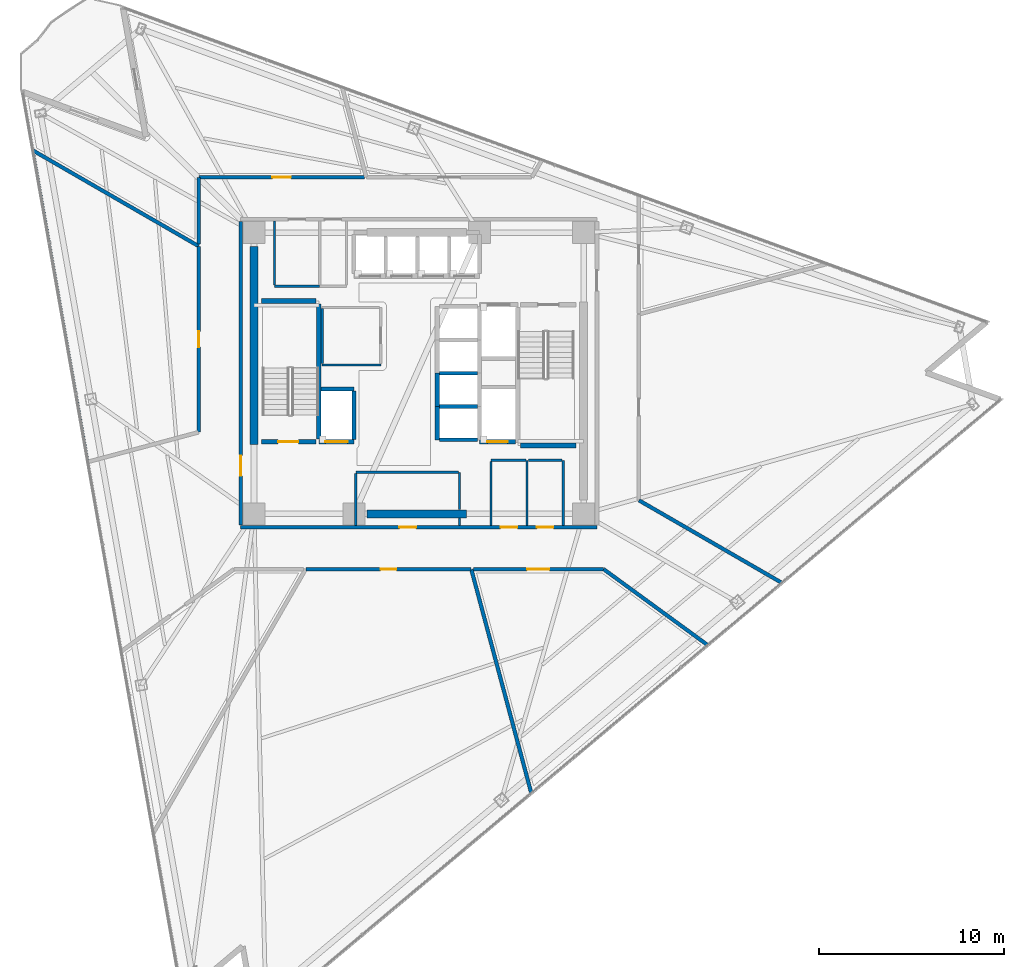
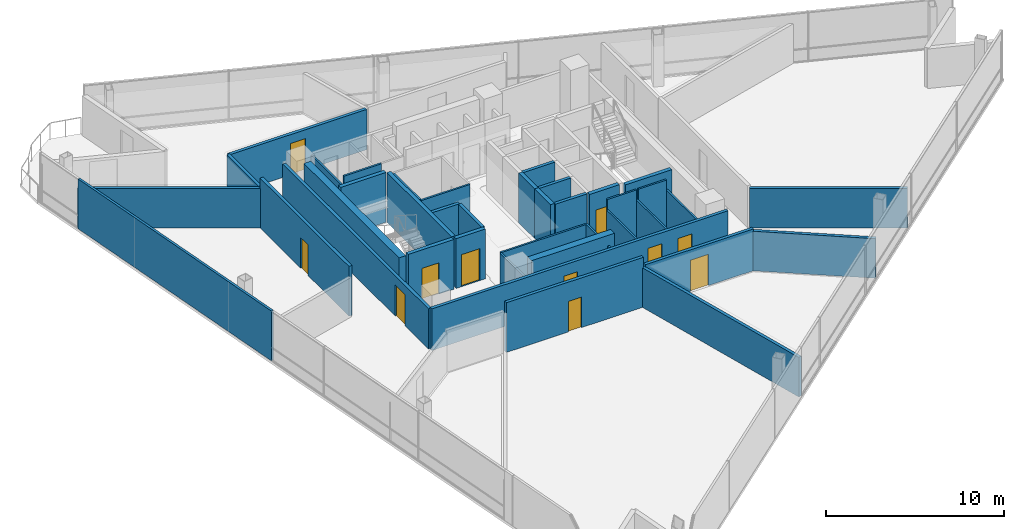
# One storey, part 10 of 15: 40 walls, 11 doors, 11 openings.
"""IFC4 building model written with IfcOpenShell, lengths in metres."""

from ifc_helpers import new_model, si_unit, direction, frame, frame_2d, origin, place, context, subcontext, project, spatial, rectangle, extrude, material, layer, layer_set, type_object, element, fill, save


model = new_model("IFC4")

# Units and contexts
model_context = context("Model", 3, precision=1e-05, world=origin(), true_north=direction((0.0, 1.0)))
body_context = subcontext(model_context, "Body", "Model", "MODEL_VIEW")
ifc_project = project(units=[si_unit("LENGTHUNIT", "METRE"), si_unit("AREAUNIT", "SQUARE_METRE"), si_unit("VOLUMEUNIT", "CUBIC_METRE"), si_unit("PLANEANGLEUNIT", "RADIAN"), si_unit("MASSUNIT", "GRAM", prefix="KILO")], contexts=[model_context])

# Site, building, storey
site_placement = place(None, origin())
site = spatial("IfcSite", under=ifc_project, at=site_placement, CompositionType="ELEMENT")
building_placement = place(site_placement, origin())
building = spatial("IfcBuilding", under=site, at=building_placement, Name="Tharavind Bronze Gate", CompositionType="ELEMENT")
storey_placement = place(building_placement, frame((0.0, 0.0, 177.699951171875)))
storey = spatial("IfcBuildingStorey", under=building, at=storey_placement, Name="L45", CompositionType="ELEMENT", Elevation=177.699951171875)

# Wall, openings, doors
ifc_material_1 = material(Name="Aerated Concrete Block", Category="concrete")
ifc_layer_1 = layer(ifc_material_1, 0.199951171875)
ifc_layer_set_1 = layer_set([ifc_layer_1], Name="Aerated Concrete Block")
wall_type_1 = type_object("IfcWallType", Name="FIRE RATED PARTITION 200", PredefinedType="PARTITIONING", material=ifc_layer_set_1)
wall_1_placement = place(storey_placement, frame((-9.6201171875, -8.320068359375, 0.0), z_axis=(0.0, 0.0, 1.0), x_axis=(1.0, 0.0, 0.0)))
wall_1 = element("IfcWall", 1, at=wall_1_placement, inside=storey, type_object=wall_type_1, Name="L45 south core corridor wall", PredefinedType="PARTITIONING", context=body_context, shape_type="SweptSolid", body=[
    extrude(rectangle(XDim=19.240234375, YDim=0.199951171875, at=frame_2d((9.6201171875, 0.0))), origin(), (0.0, 0.0, 1.0), 2.864990234375),
])
opening_1_placement = place(wall_1_placement, frame((8.570068359375, 0.0, 0.0)))
opening_1 = element("IfcOpeningElement", 2, at=opening_1_placement, cuts=wall_1, Name="Opening ID07", PredefinedType="OPENING", context=body_context, shape_type="SweptSolid", body=[
    extrude(rectangle(XDim=0.89990234375, YDim=2.10009765625, at=frame_2d((0.449951171875, 1.050048828125))), frame((0.0, 0.11009765625, 0.0), z_axis=(0.0, -1.0, 0.0), x_axis=(1.0, 0.0, 0.0)), (0.0, 0.0, 1.0), 0.219951171875),
])
opening_2_placement = place(wall_1_placement, frame((14.044921875, 0.0, 0.0)))
opening_2 = element("IfcOpeningElement", 3, at=opening_2_placement, cuts=wall_1, Name="Opening ID07", PredefinedType="OPENING", context=body_context, shape_type="SweptSolid", body=[
    extrude(rectangle(XDim=0.89990234375, YDim=2.10009765625, at=frame_2d((0.449951171875, 1.050048828125))), frame((0.0, 0.11009765625, 0.0), z_axis=(0.0, -1.0, 0.0), x_axis=(1.0, 0.0, 0.0)), (0.0, 0.0, 1.0), 0.219951171875),
])
opening_3_placement = place(wall_1_placement, frame((15.9951171875, 0.0, 0.0)))
opening_3 = element("IfcOpeningElement", 4, at=opening_3_placement, cuts=wall_1, Name="Opening ID07", PredefinedType="OPENING", context=body_context, shape_type="SweptSolid", body=[
    extrude(rectangle(XDim=0.89990234375, YDim=2.10009765625, at=frame_2d((0.449951171875, 1.050048828125))), frame((0.0, 0.11009765625, 0.0), z_axis=(0.0, -1.0, 0.0), x_axis=(1.0, 0.0, 0.0)), (0.0, 0.0, 1.0), 0.219951171875),
])
ifc_material_2 = material(Name="Galvanised Fire Steel", Category="steel")
door_type_1 = type_object("IfcDoorType", Name="PLANT AND RISER FIRE DOOR 900X2100", OperationType="SINGLE_SWING_LEFT", PredefinedType="DOOR", material=ifc_material_2)
door_1_placement = place(opening_1_placement, origin())
door_1 = element("IfcDoor", 5, at=door_1_placement, inside=storey, type_object=door_type_1, Name="L45 Core BMS Control Room fire door", OperationType="SINGLE_SWING_LEFT", OverallHeight=2.10009765625, OverallWidth=0.89990234375, PredefinedType="DOOR", context=body_context, shape_type="SweptSolid", body=[
    extrude(rectangle(XDim=0.89990234375, YDim=2.10009765625, at=frame_2d((0.449951171875, 1.050048828125))), frame((0.0, 0.02490234375, 0.0), z_axis=(0.0, -1.0, 0.0), x_axis=(1.0, 0.0, 0.0)), (0.0, 0.0, 1.0), 0.050048828125),
])
fill(opening_1, door_1)
door_2_placement = place(opening_2_placement, origin())
door_2 = element("IfcDoor", 6, at=door_2_placement, inside=storey, type_object=door_type_1, Name="L45 Comms Patch Room fire door", OperationType="SINGLE_SWING_LEFT", OverallHeight=2.10009765625, OverallWidth=0.89990234375, PredefinedType="DOOR", context=body_context, shape_type="SweptSolid", body=[
    extrude(rectangle(XDim=0.89990234375, YDim=2.10009765625, at=frame_2d((0.449951171875, 1.050048828125))), frame((0.0, 0.02490234375, 0.0), z_axis=(0.0, -1.0, 0.0), x_axis=(1.0, 0.0, 0.0)), (0.0, 0.0, 1.0), 0.050048828125),
])
fill(opening_2, door_2)
door_3_placement = place(opening_3_placement, origin())
door_3 = element("IfcDoor", 7, at=door_3_placement, inside=storey, type_object=door_type_1, Name="L45 Housekeeping Store fire door", OperationType="SINGLE_SWING_LEFT", OverallHeight=2.10009765625, OverallWidth=0.89990234375, PredefinedType="DOOR", context=body_context, shape_type="SweptSolid", body=[
    extrude(rectangle(XDim=0.89990234375, YDim=2.10009765625, at=frame_2d((0.449951171875, 1.050048828125))), frame((0.0, 0.02490234375, 0.0), z_axis=(0.0, -1.0, 0.0), x_axis=(1.0, 0.0, 0.0)), (0.0, 0.0, 1.0), 0.050048828125),
])
fill(opening_3, door_3)

# Wall, opening, door
wall_2_placement = place(storey_placement, frame((-9.6201171875, 8.199951171875, 0.0), z_axis=(0.0, 0.0, 1.0), x_axis=(0.0, -1.0, 0.0)))
wall_2 = element("IfcWall", 8, at=wall_2_placement, inside=storey, type_object=wall_type_1, Name="L45 west core corridor wall", PredefinedType="PARTITIONING", context=body_context, shape_type="SweptSolid", body=[
    extrude(rectangle(XDim=16.39990234375, YDim=0.199951171875, at=frame_2d((8.199951171875, 0.0))), origin(), (0.0, 0.0, 1.0), 2.76513671875),
])
opening_4_placement = place(wall_2_placement, frame((12.64990234375, 0.0, 0.0)))
opening_4 = element("IfcOpeningElement", 9, at=opening_4_placement, cuts=wall_2, Name="Opening ID01", PredefinedType="OPENING", context=body_context, shape_type="SweptSolid", body=[
    extrude(rectangle(XDim=1.10009765625, YDim=2.14990234375, at=frame_2d((0.550048828125, 1.074951171875))), frame((0.0, 0.11009765625, 0.0), z_axis=(0.0, -1.0, 0.0), x_axis=(1.0, 0.0, 0.0)), (0.0, 0.0, 1.0), 0.219951171875),
])
ifc_material_3 = material(Name="Fire-Rated Steel", Category="steel")
door_type_2 = type_object("IfcDoorType", Name="STAIR CORE FIRE DOOR 1100X2150", OperationType="SINGLE_SWING_LEFT", PredefinedType="DOOR", material=ifc_material_3)
door_4_placement = place(opening_4_placement, frame((1.10009765625, 0.0, 0.0), z_axis=(0.0, 0.0, 1.0), x_axis=(-1.0, 0.0, 0.0)))
door_4 = element("IfcDoor", 10, at=door_4_placement, inside=storey, type_object=door_type_2, Name="L45 south west stair lobby fire door", OperationType="SINGLE_SWING_LEFT", OverallHeight=2.14990234375, OverallWidth=1.10009765625, PredefinedType="DOOR", context=body_context, shape_type="SweptSolid", body=[
    extrude(rectangle(XDim=1.10009765625, YDim=2.14990234375, at=frame_2d((0.550048828125, 1.074951171875))), frame((0.0, 0.02490234375, 0.0), z_axis=(0.0, -1.0, 0.0), x_axis=(1.0, 0.0, 0.0)), (0.0, 0.0, 1.0), 0.050048828125),
])
fill(opening_4, door_4)

# Wall
wall_3_placement = place(storey_placement, frame((-20.83935546875, 12.031494140625, 0.0), z_axis=(0.0, 0.0, 1.0), x_axis=(0.866031318101, -0.499989755964, 0.0)))
element("IfcWall", 11, at=wall_3_placement, inside=storey, type_object=wall_type_1, Name="L45 Public Restrooms Block partition", PredefinedType="PARTITIONING", context=body_context, shape_type="SweptSolid", body=[
    extrude(rectangle(XDim=10.330810546875, YDim=0.199951171875, at=frame_2d((5.16552734375, 0.0))), origin(), (0.0, 0.0, 1.0), 2.715087890625),
])

# Wall, opening, door
wall_4_placement = place(storey_placement, frame((-11.8798828125, 6.844482421875, 0.0), z_axis=(0.0, 0.0, 1.0), x_axis=(0.0, -1.0, 0.0)))
wall_4 = element("IfcWall", 12, at=wall_4_placement, inside=storey, type_object=wall_type_1, Name="L45 Public Restrooms Block partition", PredefinedType="PARTITIONING", context=body_context, shape_type="SweptSolid", body=[
    extrude(rectangle(XDim=10.008544921875, YDim=0.199951171875, at=frame_2d((5.00439453125, 0.0))), origin(), (0.0, 0.0, 1.0), 3.420166015625),
])
opening_5_placement = place(wall_4_placement, frame((4.5791015625, 0.0, 0.0)))
opening_5 = element("IfcOpeningElement", 13, at=opening_5_placement, cuts=wall_4, Name="Opening ID06", PredefinedType="OPENING", context=body_context, shape_type="SweptSolid", body=[
    extrude(rectangle(XDim=0.85009765625, YDim=2.10009765625, at=frame_2d((0.425048828125, 1.050048828125))), frame((0.0, 0.11009765625, 0.0), z_axis=(0.0, -1.0, 0.0), x_axis=(1.0, 0.0, 0.0)), (0.0, 0.0, 1.0), 0.219951171875),
])
ifc_material_4 = material(Name="Moisture-Resistant Timber", Category="wood")
door_type_3 = type_object("IfcDoorType", Name="BATHROOM PRIVACY DOOR 850X2100", OperationType="SINGLE_SWING_RIGHT", PredefinedType="DOOR", material=ifc_material_4)
door_5_placement = place(opening_5_placement, origin())
door_5 = element("IfcDoor", 14, at=door_5_placement, inside=storey, type_object=door_type_3, Name="L45 Public Restrooms Block door", OperationType="SINGLE_SWING_RIGHT", OverallHeight=2.10009765625, OverallWidth=0.85009765625, PredefinedType="DOOR", context=body_context, shape_type="SweptSolid", body=[
    extrude(rectangle(XDim=0.85009765625, YDim=2.10009765625, at=frame_2d((0.425048828125, 1.050048828125))), frame((0.0, 0.02490234375, 0.0), z_axis=(0.0, -1.0, 0.0), x_axis=(1.0, 0.0, 0.0)), (0.0, 0.0, 1.0), 0.050048828125),
])
fill(opening_5, door_5)

wall_5_placement = place(storey_placement, frame((-6.093994140625, -10.580078125, 0.0), z_axis=(0.0, 0.0, 1.0), x_axis=(1.0, 0.0, 0.0)))
wall_5 = element("IfcWall", 15, at=wall_5_placement, inside=storey, type_object=wall_type_1, Name="L45 Public Restrooms Block partition", PredefinedType="PARTITIONING", context=body_context, shape_type="SweptSolid", body=[
    extrude(rectangle(XDim=8.90966796875, YDim=0.199951171875, at=frame_2d((4.454833984375, 0.0))), origin(), (0.0, 0.0, 1.0), 3.420166015625),
])
opening_6_placement = place(wall_5_placement, frame((4.030029296875, 0.0, 0.0)))
opening_6 = element("IfcOpeningElement", 16, at=opening_6_placement, cuts=wall_5, Name="Opening ID06", PredefinedType="OPENING", context=body_context, shape_type="SweptSolid", body=[
    extrude(rectangle(XDim=0.85009765625, YDim=2.10009765625, at=frame_2d((0.425048828125, 1.050048828125))), frame((0.0, 0.11009765625, 0.0), z_axis=(0.0, -1.0, 0.0), x_axis=(1.0, 0.0, 0.0)), (0.0, 0.0, 1.0), 0.219951171875),
])
door_6_placement = place(opening_6_placement, origin())
door_6 = element("IfcDoor", 17, at=door_6_placement, inside=storey, type_object=door_type_3, Name="L45 Public Restrooms Block door", OperationType="SINGLE_SWING_RIGHT", OverallHeight=2.10009765625, OverallWidth=0.85009765625, PredefinedType="DOOR", context=body_context, shape_type="SweptSolid", body=[
    extrude(rectangle(XDim=0.85009765625, YDim=2.10009765625, at=frame_2d((0.425048828125, 1.050048828125))), frame((0.0, 0.02490234375, 0.0), z_axis=(0.0, -1.0, 0.0), x_axis=(1.0, 0.0, 0.0)), (0.0, 0.0, 1.0), 0.050048828125),
])
fill(opening_6, door_6)

# Wall
wall_6_placement = place(storey_placement, frame((2.83984375, -10.598388671875, 0.0), z_axis=(0.0, 0.0, 1.0), x_axis=(0.258817191025, -0.965926323086, 0.0)))
element("IfcWall", 18, at=wall_6_placement, inside=storey, type_object=wall_type_1, Name="L45 Public Restrooms Block partition", PredefinedType="PARTITIONING", context=body_context, shape_type="SweptSolid", body=[
    extrude(rectangle(XDim=12.48828125, YDim=0.199951171875, at=frame_2d((6.244140625, 0.0))), origin(), (0.0, 0.0, 1.0), 2.715087890625),
])

# Wall, opening, door
wall_7_placement = place(storey_placement, frame((-2.943603515625, 10.580078125, 0.0), z_axis=(0.0, 0.0, 1.0), x_axis=(-1.0, 0.0, 0.0)))
wall_7 = element("IfcWall", 19, at=wall_7_placement, inside=storey, type_object=wall_type_1, Name="L45 Reinsurance Office partition", PredefinedType="PARTITIONING", context=body_context, shape_type="SweptSolid", body=[
    extrude(rectangle(XDim=8.935791015625, YDim=0.199951171875, at=frame_2d((4.4677734375, 0.0))), origin(), (0.0, 0.0, 1.0), 2.76513671875),
])
opening_7_placement = place(wall_7_placement, frame((3.968017578125, 0.0, 0.0)))
opening_7 = element("IfcOpeningElement", 20, at=opening_7_placement, cuts=wall_7, Name="Opening ID04", PredefinedType="OPENING", context=body_context, shape_type="SweptSolid", body=[
    extrude(rectangle(XDim=1.0, YDim=2.14990234375, at=frame_2d((0.5, 1.074951171875))), frame((0.0, 0.11009765625, 0.0), z_axis=(0.0, -1.0, 0.0), x_axis=(1.0, 0.0, 0.0)), (0.0, 0.0, 1.0), 0.219951171875),
])
ifc_material_5 = material(Name="Bronze Framed Acoustic Timber", Category="wood")
door_type_4 = type_object("IfcDoorType", Name="OFFICE TENANCY DOOR 1000X2150", OperationType="SINGLE_SWING_RIGHT", PredefinedType="DOOR", material=ifc_material_5)
door_7_placement = place(opening_7_placement, origin())
door_7 = element("IfcDoor", 21, at=door_7_placement, inside=storey, type_object=door_type_4, Name="L45 Reinsurance Office door", OperationType="SINGLE_SWING_RIGHT", OverallHeight=2.14990234375, OverallWidth=1.0, PredefinedType="DOOR", context=body_context, shape_type="SweptSolid", body=[
    extrude(rectangle(XDim=1.0, YDim=2.14990234375, at=frame_2d((0.5, 1.074951171875))), frame((0.0, 0.02490234375, 0.0), z_axis=(0.0, -1.0, 0.0), x_axis=(1.0, 0.0, 0.0)), (0.0, 0.0, 1.0), 0.050048828125),
])
fill(opening_7, door_7)

# Wall
wall_8_placement = place(storey_placement, frame((-11.8798828125, 10.579345703125, 0.0), z_axis=(0.0, 0.0, 1.0), x_axis=(0.0, -1.0, 0.0)))
element("IfcWall", 22, at=wall_8_placement, inside=storey, type_object=wall_type_1, Name="L45 Reinsurance Office partition", PredefinedType="PARTITIONING", context=body_context, shape_type="SweptSolid", body=[
    extrude(rectangle(XDim=3.599365234375, YDim=0.199951171875, at=frame_2d((1.7998046875, 0.0))), origin(), (0.0, 0.0, 1.0), 2.76513671875),
])

# Wall, opening, door
wall_9_placement = place(storey_placement, frame((2.943603515625, -10.580078125, 0.0), z_axis=(0.0, 0.0, 1.0), x_axis=(1.0, 0.0, 0.0)))
wall_9 = element("IfcWall", 23, at=wall_9_placement, inside=storey, type_object=wall_type_1, Name="L45 Training Seminar Room partition", PredefinedType="PARTITIONING", context=body_context, shape_type="SweptSolid", body=[
    extrude(rectangle(XDim=7.0263671875, YDim=0.199951171875, at=frame_2d((3.51318359375, 0.0))), origin(), (0.0, 0.0, 1.0), 2.864990234375),
])
opening_8_placement = place(wall_9_placement, frame((2.9130859375, 0.0, 0.0)))
opening_8 = element("IfcOpeningElement", 24, at=opening_8_placement, cuts=wall_9, Name="Opening ID05", PredefinedType="OPENING", context=body_context, shape_type="SweptSolid", body=[
    extrude(rectangle(XDim=1.199951171875, YDim=2.14990234375, at=frame_2d((0.60009765625, 1.074951171875))), frame((0.0, 0.11009765625, 0.0), z_axis=(0.0, -1.0, 0.0), x_axis=(1.0, 0.0, 0.0)), (0.0, 0.0, 1.0), 0.219951171875),
])
ifc_material_6 = material(Name="Acoustic Laminated Glass", Category="glass")
door_type_5 = type_object("IfcDoorType", Name="MEETING ROOM GLAZED DOOR 1200X2150", OperationType="SINGLE_SWING_LEFT", PredefinedType="DOOR", material=ifc_material_6)
door_8_placement = place(opening_8_placement, origin())
door_8 = element("IfcDoor", 25, at=door_8_placement, inside=storey, type_object=door_type_5, Name="L45 Training Seminar Room door", OperationType="SINGLE_SWING_LEFT", OverallHeight=2.14990234375, OverallWidth=1.199951171875, PredefinedType="DOOR", context=body_context, shape_type="SweptSolid", body=[
    extrude(rectangle(XDim=1.199951171875, YDim=2.14990234375, at=frame_2d((0.60009765625, 1.074951171875))), frame((0.0, 0.02490234375, 0.0), z_axis=(0.0, -1.0, 0.0), x_axis=(1.0, 0.0, 0.0)), (0.0, 0.0, 1.0), 0.050048828125),
])
fill(opening_8, door_8)

# Walls
wall_10_placement = place(storey_placement, frame((9.98486328125, -10.584716796875, 0.0), z_axis=(0.0, 0.0, 1.0), x_axis=(0.807846973011, -0.589392287189, 0.0)))
element("IfcWall", 26, at=wall_10_placement, inside=storey, type_object=wall_type_1, Name="L45 Training Seminar Room partition", PredefinedType="PARTITIONING", context=body_context, shape_type="SweptSolid", body=[
    extrude(rectangle(XDim=6.95361328125, YDim=0.199951171875, at=frame_2d((3.476806640625, 0.0))), origin(), (0.0, 0.0, 1.0), 2.715087890625),
])
wall_11_placement = place(storey_placement, frame((19.59375, -11.3125, 0.0), z_axis=(0.0, 0.0, 1.0), x_axis=(-0.866024653538, 0.500001299462, 0.0)))
element("IfcWall", 27, at=wall_11_placement, inside=storey, type_object=wall_type_1, Name="L45 Tea Pantry partition", PredefinedType="PARTITIONING", context=body_context, shape_type="SweptSolid", body=[
    extrude(rectangle(XDim=8.892578125, YDim=0.199951171875, at=frame_2d((4.4462890625, 0.0))), origin(), (0.0, 0.0, 1.0), 2.715087890625),
])
ifc_material_7 = material(Name="Metal Stud Gypsum Partition", Category="gypsum")
ifc_layer_2 = layer(ifc_material_7, 0.1201171875)
ifc_layer_set_2 = layer_set([ifc_layer_2], Name="Metal Stud Gypsum Partition")
wall_type_2 = type_object("IfcWallType", Name="INTERIOR PARTITION WALL 120", PredefinedType="PARTITIONING", material=ifc_layer_set_2)
wall_12_placement = place(storey_placement, frame((-5.219970703125, 0.449951171875, 0.0), z_axis=(0.0, 0.0, 1.0), x_axis=(1.0, 0.0, 0.0)))
element("IfcWall", 28, at=wall_12_placement, inside=storey, type_object=wall_type_2, Name="L45 Electrical & Telecom Store partition 1", PredefinedType="PARTITIONING", context=body_context, shape_type="SweptSolid", body=[
    extrude(rectangle(XDim=3.169921875, YDim=0.1201171875, at=frame_2d((1.5849609375, 0.0))), origin(), (0.0, 0.0, 1.0), 3.420166015625),
])
wall_13_placement = place(storey_placement, frame((-5.219970703125, 3.485107421875, 0.0), z_axis=(0.0, 0.0, 1.0), x_axis=(0.0, -1.0, 0.0)))
element("IfcWall", 29, at=wall_13_placement, inside=storey, type_object=wall_type_2, Name="L45 Electrical & Telecom Store partition 4", PredefinedType="PARTITIONING", context=body_context, shape_type="SweptSolid", body=[
    extrude(rectangle(XDim=2.97021484375, YDim=0.1201171875, at=frame_2d((1.485107421875, 0.0))), origin(), (0.0, 0.0, 1.0), 3.420166015625),
])
wall_14_placement = place(storey_placement, frame((2.199951171875, -8.215087890625, 0.0), z_axis=(0.0, 0.0, 1.0), x_axis=(0.0, 1.0, 0.0)))
element("IfcWall", 30, at=wall_14_placement, inside=storey, type_object=wall_type_2, Name="L45 Core BMS Control Room partition 2", PredefinedType="PARTITIONING", context=body_context, shape_type="SweptSolid", body=[
    extrude(rectangle(XDim=0.385009765625, YDim=0.1201171875, at=frame_2d((0.1923828125, 0.0))), origin(), (0.0, 0.0, 1.0), 2.715087890625),
])
wall_15_placement = place(storey_placement, frame((2.199951171875, -7.3701171875, 0.0), z_axis=(0.0, 0.0, 1.0), x_axis=(0.0, 1.0, 0.0)))
element("IfcWall", 31, at=wall_15_placement, inside=storey, type_object=wall_type_2, Name="L45 Core BMS Control Room partition 2", PredefinedType="PARTITIONING", context=body_context, shape_type="SweptSolid", body=[
    extrude(rectangle(XDim=2.02001953125, YDim=0.1201171875, at=frame_2d((1.010009765625, 0.0))), origin(), (0.0, 0.0, 1.0), 2.715087890625),
])
wall_16_placement = place(storey_placement, frame((2.135009765625, -5.35009765625, 0.0), z_axis=(0.0, 0.0, 1.0), x_axis=(-1.0, 0.0, 0.0)))
element("IfcWall", 32, at=wall_16_placement, inside=storey, type_object=wall_type_2, Name="L45 Core BMS Control Room partition 3", PredefinedType="PARTITIONING", context=body_context, shape_type="SweptSolid", body=[
    extrude(rectangle(XDim=5.534912109375, YDim=0.1201171875, at=frame_2d((2.767578125, 0.0))), origin(), (0.0, 0.0, 1.0), 2.715087890625),
])
wall_17_placement = place(storey_placement, frame((-3.39990234375, -5.4150390625, 0.0), z_axis=(0.0, 0.0, 1.0), x_axis=(0.0, -1.0, 0.0)))
element("IfcWall", 33, at=wall_17_placement, inside=storey, type_object=wall_type_2, Name="L45 Core BMS Control Room partition 4", PredefinedType="PARTITIONING", context=body_context, shape_type="SweptSolid", body=[
    extrude(rectangle(XDim=2.800048828125, YDim=0.1201171875, at=frame_2d((1.39990234375, 0.0))), origin(), (0.0, 0.0, 1.0), 2.715087890625),
])
wall_18_placement = place(storey_placement, frame((-7.800048828125, 4.699951171875, 0.0), z_axis=(0.0, 0.0, 1.0), x_axis=(1.0, 0.0, 0.0)))
element("IfcWall", 34, at=wall_18_placement, inside=storey, type_object=wall_type_2, Name="L45 Electrical Metering Room partition 1", PredefinedType="PARTITIONING", context=body_context, shape_type="SweptSolid", body=[
    extrude(rectangle(XDim=2.449951171875, YDim=0.1201171875, at=frame_2d((1.22509765625, 0.0))), origin(), (0.0, 0.0, 1.0), 3.420166015625),
])
wall_19_placement = place(storey_placement, frame((-7.800048828125, 8.215087890625, 0.0), z_axis=(0.0, 0.0, 1.0), x_axis=(0.0, -1.0, 0.0)))
element("IfcWall", 35, at=wall_19_placement, inside=storey, type_object=wall_type_2, Name="L45 Electrical Metering Room partition 4", PredefinedType="PARTITIONING", context=body_context, shape_type="SweptSolid", body=[
    extrude(rectangle(XDim=3.4501953125, YDim=0.1201171875, at=frame_2d((1.72509765625, 0.0))), origin(), (0.0, 0.0, 1.0), 2.715087890625),
])
wall_20_placement = place(storey_placement, frame((5.85009765625, -8.215087890625, 0.0), z_axis=(0.0, 0.0, 1.0), x_axis=(0.0, 1.0, 0.0)))
element("IfcWall", 36, at=wall_20_placement, inside=storey, type_object=wall_type_2, Name="L45 Comms Patch Room partition 2", PredefinedType="PARTITIONING", context=body_context, shape_type="SweptSolid", body=[
    extrude(rectangle(XDim=3.51513671875, YDim=0.1201171875, at=frame_2d((1.757568359375, 0.0))), origin(), (0.0, 0.0, 1.0), 2.715087890625),
])
wall_21_placement = place(storey_placement, frame((5.784912109375, -4.699951171875, 0.0), z_axis=(0.0, 0.0, 1.0), x_axis=(-1.0, 0.0, 0.0)))
element("IfcWall", 37, at=wall_21_placement, inside=storey, type_object=wall_type_2, Name="L45 Comms Patch Room partition 3", PredefinedType="PARTITIONING", context=body_context, shape_type="SweptSolid", body=[
    extrude(rectangle(XDim=1.885009765625, YDim=0.1201171875, at=frame_2d((0.9423828125, 0.0))), origin(), (0.0, 0.0, 1.0), 3.420166015625),
])
wall_22_placement = place(storey_placement, frame((3.89990234375, -4.764892578125, 0.0), z_axis=(0.0, 0.0, 1.0), x_axis=(0.0, -1.0, 0.0)))
element("IfcWall", 38, at=wall_22_placement, inside=storey, type_object=wall_type_2, Name="L45 Comms Patch Room partition 4", PredefinedType="PARTITIONING", context=body_context, shape_type="SweptSolid", body=[
    extrude(rectangle(XDim=3.4501953125, YDim=0.1201171875, at=frame_2d((1.72509765625, 0.0))), origin(), (0.0, 0.0, 1.0), 2.715087890625),
])
wall_23_placement = place(storey_placement, frame((7.800048828125, -8.215087890625, 0.0), z_axis=(0.0, 0.0, 1.0), x_axis=(0.0, 1.0, 0.0)))
element("IfcWall", 39, at=wall_23_placement, inside=storey, type_object=wall_type_2, Name="L45 Housekeeping Store partition 2", PredefinedType="PARTITIONING", context=body_context, shape_type="SweptSolid", body=[
    extrude(rectangle(XDim=3.51513671875, YDim=0.1201171875, at=frame_2d((1.757568359375, 0.0))), origin(), (0.0, 0.0, 1.0), 2.715087890625),
])
wall_24_placement = place(storey_placement, frame((7.735107421875, -4.699951171875, 0.0), z_axis=(0.0, 0.0, 1.0), x_axis=(-1.0, 0.0, 0.0)))
element("IfcWall", 40, at=wall_24_placement, inside=storey, type_object=wall_type_2, Name="L45 Housekeeping Store partition 3", PredefinedType="PARTITIONING", context=body_context, shape_type="SweptSolid", body=[
    extrude(rectangle(XDim=1.820068359375, YDim=0.1201171875, at=frame_2d((0.91015625, 0.0))), origin(), (0.0, 0.0, 1.0), 3.420166015625),
])
ifc_material_8 = material(Name="Twin Stud Acoustic Gypsum", Category="gypsum")
ifc_layer_3 = layer(ifc_material_8, 0.14990234375)
ifc_layer_set_3 = layer_set([ifc_layer_3], Name="Twin Stud Acoustic Gypsum")
wall_type_3 = type_object("IfcWallType", Name="INTERIOR PARTITION WALL 150", PredefinedType="PARTITIONING", material=ifc_layer_set_3)
wall_25_placement = place(storey_placement, frame((-17.878173828125, -4.76220703125, 0.0), z_axis=(0.0, 0.0, 1.0), x_axis=(-0.173655243618, 0.984806507068, 0.0)))
element("IfcWall", 41, at=wall_25_placement, inside=storey, type_object=wall_type_3, Name="L45 Public Restrooms Block partition", PredefinedType="PARTITIONING", context=body_context, shape_type="SweptSolid", body=[
    extrude(rectangle(XDim=16.915771484375, YDim=0.14990234375, at=frame_2d((8.4580078125, 0.0))), origin(), (0.0, 0.0, 1.0), 3.420166015625),
])
ifc_material_9 = material(Name="Concrete C50/60", Category="concrete")
ifc_layer_4 = layer(ifc_material_9, 0.25)
ifc_layer_set_4 = layer_set([ifc_layer_4], Name="Concrete C50/60")
wall_type_4 = type_object("IfcWallType", Name="RC CORE SHEAR WALL 250", PredefinedType="SHEAR", material=ifc_layer_set_4)
wall_26_placement = place(storey_placement, frame((-5.39990234375, -3.550048828125, 0.0), z_axis=(0.0, 0.0, 1.0), x_axis=(0.0, 1.0, 0.0)))
element("IfcWall", 42, at=wall_26_placement, inside=storey, type_object=wall_type_4, Name="L45 ST1 shaft east wall", PredefinedType="SHEAR", context=body_context, shape_type="SweptSolid", body=[
    extrude(rectangle(XDim=7.300048828125, YDim=0.25, at=frame_2d((3.64990234375, 0.0))), origin(), (0.0, 0.0, 1.0), 3.420166015625),
])

# Wall, opening, door
wall_27_placement = place(storey_placement, frame((-8.5, -3.699951171875, 0.0), z_axis=(0.0, 0.0, 1.0), x_axis=(1.0, 0.0, 0.0)))
wall_27 = element("IfcWall", 43, at=wall_27_placement, inside=storey, type_object=wall_type_4, Name="L45 ST1 shaft south wall", PredefinedType="SHEAR", context=body_context, shape_type="SweptSolid", body=[
    extrude(rectangle(XDim=2.949951171875, YDim=0.25, at=frame_2d((1.47509765625, 0.0))), origin(), (0.0, 0.0, 1.0), 3.420166015625),
])
opening_9_placement = place(wall_27_placement, frame((0.89990234375, 0.0, 0.0)))
opening_9 = element("IfcOpeningElement", 44, at=opening_9_placement, cuts=wall_27, Name="Opening ID01", PredefinedType="OPENING", context=body_context, shape_type="SweptSolid", body=[
    extrude(rectangle(XDim=1.10009765625, YDim=2.14990234375, at=frame_2d((0.550048828125, 1.074951171875))), frame((0.0, 0.135, 0.0), z_axis=(0.0, -1.0, 0.0), x_axis=(1.0, 0.0, 0.0)), (0.0, 0.0, 1.0), 0.27),
])
door_9_placement = place(opening_9_placement, origin())
door_9 = element("IfcDoor", 45, at=door_9_placement, inside=storey, type_object=door_type_2, Name="L45 exit stair ST1 fire door", OperationType="SINGLE_SWING_LEFT", OverallHeight=2.14990234375, OverallWidth=1.10009765625, PredefinedType="DOOR", context=body_context, shape_type="SweptSolid", body=[
    extrude(rectangle(XDim=1.10009765625, YDim=2.14990234375, at=frame_2d((0.550048828125, 1.074951171875))), frame((0.0, 0.02490234375, 0.0), z_axis=(0.0, -1.0, 0.0), x_axis=(1.0, 0.0, 0.0)), (0.0, 0.0, 1.0), 0.050048828125),
])
fill(opening_9, door_9)

# Walls
wall_28_placement = place(storey_placement, frame((-8.5, 3.89990234375, 0.0), z_axis=(0.0, 0.0, 1.0), x_axis=(1.0, 0.0, 0.0)))
element("IfcWall", 46, at=wall_28_placement, inside=storey, type_object=wall_type_4, Name="L45 ST1 shaft north wall", PredefinedType="SHEAR", context=body_context, shape_type="SweptSolid", body=[
    extrude(rectangle(XDim=2.949951171875, YDim=0.25, at=frame_2d((1.47509765625, 0.0))), origin(), (0.0, 0.0, 1.0), 3.420166015625),
])
wall_29_placement = place(storey_placement, frame((5.5, -3.89990234375, 0.0), z_axis=(0.0, 0.0, 1.0), x_axis=(1.0, 0.0, 0.0)))
element("IfcWall", 47, at=wall_29_placement, inside=storey, type_object=wall_type_4, Name="L45 ST2 shaft south wall", PredefinedType="SHEAR", context=body_context, shape_type="SweptSolid", body=[
    extrude(rectangle(XDim=3.0, YDim=0.25, at=frame_2d((1.5, 0.0))), origin(), (0.0, 0.0, 1.0), 3.420166015625),
])
for number, where, z_axis, x_axis, name in (
    (48, (1.0, -3.60009765625, 0.0), (0.0, 0.0, 1.0), (0.0, 1.0, 0.0), "L45 lift PL9 shaft front wall"),
    (49, (1.0, -1.800048828125, 0.0), (0.0, 0.0, 1.0), (0.0, 1.0, 0.0), "L45 lift PL10 shaft front wall"),
):
    element("IfcWall", number, at=place(storey_placement, frame(where, z_axis=z_axis, x_axis=x_axis)), inside=storey, type_object=wall_type_4, Name=name, PredefinedType="SHEAR", context=body_context, shape_type="SweptSolid", body=[
        extrude(rectangle(XDim=1.800048828125, YDim=0.25, at=frame_2d((0.89990234375, 0.0))), origin(), (0.0, 0.0, 1.0), 3.420166015625),
    ])

# Wall, opening, door
wall_30_placement = place(storey_placement, frame((-5.39990234375, -3.699951171875, 0.0), z_axis=(0.0, 0.0, 1.0), x_axis=(1.0, 0.0, 0.0)))
wall_30 = element("IfcWall", 50, at=wall_30_placement, inside=storey, type_object=wall_type_4, Name="L45 lift FFL1 shaft front wall", PredefinedType="SHEAR", context=body_context, shape_type="SweptSolid", body=[
    extrude(rectangle(XDim=1.89990234375, YDim=0.25, at=frame_2d((0.949951171875, 0.0))), origin(), (0.0, 0.0, 1.0), 3.420166015625),
])
opening_10_placement = place(wall_30_placement, frame((0.35009765625, 0.0, 0.0)))
opening_10 = element("IfcOpeningElement", 51, at=opening_10_placement, cuts=wall_30, Name="Opening LD02", PredefinedType="OPENING", context=body_context, shape_type="SweptSolid", body=[
    extrude(rectangle(XDim=1.199951171875, YDim=2.199951171875, at=frame_2d((0.60009765625, 1.10009765625))), frame((0.0, 0.135, 0.0), z_axis=(0.0, -1.0, 0.0), x_axis=(1.0, 0.0, 0.0)), (0.0, 0.0, 1.0), 0.27),
])
ifc_material_10 = material(Name="Brushed Stainless Steel", Category="steel")
door_type_6 = type_object("IfcDoorType", Name="FIREFIGHTING LIFT LANDING DOOR 1200X2200", OperationType="SLIDING_TO_RIGHT", PredefinedType="DOOR", material=ifc_material_10)
door_10_placement = place(opening_10_placement, origin())
door_10 = element("IfcDoor", 52, at=door_10_placement, inside=storey, type_object=door_type_6, Name="L45 lift FFL1 sliding landing door", OperationType="SLIDING_TO_RIGHT", OverallHeight=2.199951171875, OverallWidth=1.199951171875, PredefinedType="DOOR", context=body_context, shape_type="SweptSolid", body=[
    extrude(rectangle(XDim=1.199951171875, YDim=2.199951171875, at=frame_2d((0.60009765625, 1.10009765625))), frame((0.0, 0.02490234375, 0.0), z_axis=(0.0, -1.0, 0.0), x_axis=(1.0, 0.0, 0.0)), (0.0, 0.0, 1.0), 0.050048828125),
])
fill(opening_10, door_10)

wall_31_placement = place(storey_placement, frame((3.280029296875, -3.699951171875, 0.0), z_axis=(0.0, 0.0, 1.0), x_axis=(1.0, 0.0, 0.0)))
wall_31 = element("IfcWall", 53, at=wall_31_placement, inside=storey, type_object=wall_type_4, Name="L45 lift SVL1 shaft front wall", PredefinedType="SHEAR", context=body_context, shape_type="SweptSolid", body=[
    extrude(rectangle(XDim=1.93994140625, YDim=0.25, at=frame_2d((0.969970703125, 0.0))), origin(), (0.0, 0.0, 1.0), 3.420166015625),
])
opening_11_placement = place(wall_31_placement, frame((0.419921875, 0.0, 0.0)))
opening_11 = element("IfcOpeningElement", 54, at=opening_11_placement, cuts=wall_31, Name="Opening LD01", PredefinedType="OPENING", context=body_context, shape_type="SweptSolid", body=[
    extrude(rectangle(XDim=1.10009765625, YDim=2.199951171875, at=frame_2d((0.550048828125, 1.10009765625))), frame((0.0, 0.135, 0.0), z_axis=(0.0, -1.0, 0.0), x_axis=(1.0, 0.0, 0.0)), (0.0, 0.0, 1.0), 0.27),
])
ifc_material_11 = material(Name="Brushed Bronze Stainless Steel", Category="steel")
door_type_7 = type_object("IfcDoorType", Name="LIFT LANDING SLIDING DOOR 1100X2200", OperationType="SLIDING_TO_LEFT", PredefinedType="DOOR", material=ifc_material_11)
door_11_placement = place(opening_11_placement, origin())
door_11 = element("IfcDoor", 55, at=door_11_placement, inside=storey, type_object=door_type_7, Name="L45 lift SVL1 sliding landing door", OperationType="SLIDING_TO_LEFT", OverallHeight=2.199951171875, OverallWidth=1.10009765625, PredefinedType="DOOR", context=body_context, shape_type="SweptSolid", body=[
    extrude(rectangle(XDim=1.10009765625, YDim=2.199951171875, at=frame_2d((0.550048828125, 1.10009765625))), frame((0.0, 0.02490234375, 0.0), z_axis=(0.0, -1.0, 0.0), x_axis=(1.0, 0.0, 0.0)), (0.0, 0.0, 1.0), 0.050048828125),
])
fill(opening_11, door_11)

# Walls
ifc_material_12 = material(Name="Concrete C60/75", Category="concrete")
ifc_layer_5 = layer(ifc_material_12, 0.449951171875)
ifc_layer_set_5 = layer_set([ifc_layer_5], Name="Concrete C60/75")
wall_type_5 = type_object("IfcWallType", Name="RC CORE SHEAR WALL 450", PredefinedType="SHEAR", material=ifc_layer_set_5)
wall_32_placement = place(storey_placement, frame((-2.800048828125, -7.60009765625, 0.0), z_axis=(0.0, 0.0, 1.0), x_axis=(1.0, 0.0, 0.0)))
element("IfcWall", 56, at=wall_32_placement, inside=storey, type_object=wall_type_5, Name="L45 south core shear wall", PredefinedType="SHEAR", context=body_context, shape_type="SweptSolid", body=[
    extrude(rectangle(XDim=5.380126953125, YDim=0.449951171875, at=frame_2d((2.68994140625, 0.0))), origin(), (0.0, 0.0, 1.0), 3.420166015625),
])
wall_33_placement = place(storey_placement, frame((-8.89990234375, -3.85009765625, 0.0), z_axis=(0.0, 0.0, 1.0), x_axis=(0.0, 1.0, 0.0)))
element("IfcWall", 57, at=wall_33_placement, inside=storey, type_object=wall_type_5, Name="L45 west core shear wall", PredefinedType="SHEAR", context=body_context, shape_type="SweptSolid", body=[
    extrude(rectangle(XDim=10.7001953125, YDim=0.449951171875, at=frame_2d((5.35009765625, 0.0))), origin(), (0.0, 0.0, 1.0), 3.420166015625),
])
ifc_material_13 = material(Name="Concrete C40/50", Category="concrete")
ifc_layer_6 = layer(ifc_material_13, 0.199951171875)
ifc_layer_set_6 = layer_set([ifc_layer_6], Name="Concrete C40/50")
wall_type_6 = type_object("IfcWallType", Name="SHAFT ENCLOSURE WALL 200", PredefinedType="PARTITIONING", material=ifc_layer_set_6)
for number, where, z_axis, x_axis, name in (
    (58, (1.1298828125, -3.60009765625, 0.0), (0.0, 0.0, 1.0), (1.0, 0.0, 0.0), "L45 lift PL9 shaft S enclosure wall"),
    (59, (1.1298828125, -1.800048828125, 0.0), (0.0, 0.0, 1.0), (1.0, 0.0, 0.0), "L45 lift PL9 shaft N enclosure wall"),
    (60, (1.1298828125, 0.0, 0.0), (0.0, 0.0, 1.0), (1.0, 0.0, 0.0), "L45 lift PL10 shaft N enclosure wall"),
):
    element("IfcWall", number, at=place(storey_placement, frame(where, z_axis=z_axis, x_axis=x_axis)), inside=storey, type_object=wall_type_6, Name=name, PredefinedType="PARTITIONING", context=body_context, shape_type="SweptSolid", body=[
        extrude(rectangle(XDim=2.045166015625, YDim=0.199951171875, at=frame_2d((1.0224609375, 0.0))), origin(), (0.0, 0.0, 1.0), 3.420166015625),
    ])
wall_34_placement = place(storey_placement, frame((-5.27001953125, -0.85009765625, 0.0), z_axis=(0.0, 0.0, 1.0), x_axis=(1.0, 0.0, 0.0)))
element("IfcWall", 61, at=wall_34_placement, inside=storey, type_object=wall_type_6, Name="L45 lift FFL1 shaft N enclosure wall", PredefinedType="PARTITIONING", context=body_context, shape_type="SweptSolid", body=[
    extrude(rectangle(XDim=1.77001953125, YDim=0.199951171875, at=frame_2d((0.885009765625, 0.0))), origin(), (0.0, 0.0, 1.0), 3.420166015625),
])
wall_35_placement = place(storey_placement, frame((-3.5, -3.570068359375, 0.0), z_axis=(0.0, 0.0, 1.0), x_axis=(0.0, 1.0, 0.0)))
element("IfcWall", 62, at=wall_35_placement, inside=storey, type_object=wall_type_6, Name="L45 lift FFL1 shaft E enclosure wall", PredefinedType="PARTITIONING", context=body_context, shape_type="SweptSolid", body=[
    extrude(rectangle(XDim=2.614990234375, YDim=0.199951171875, at=frame_2d((1.3076171875, 0.0))), origin(), (0.0, 0.0, 1.0), 3.420166015625),
])

save(model, "model.ifc")
